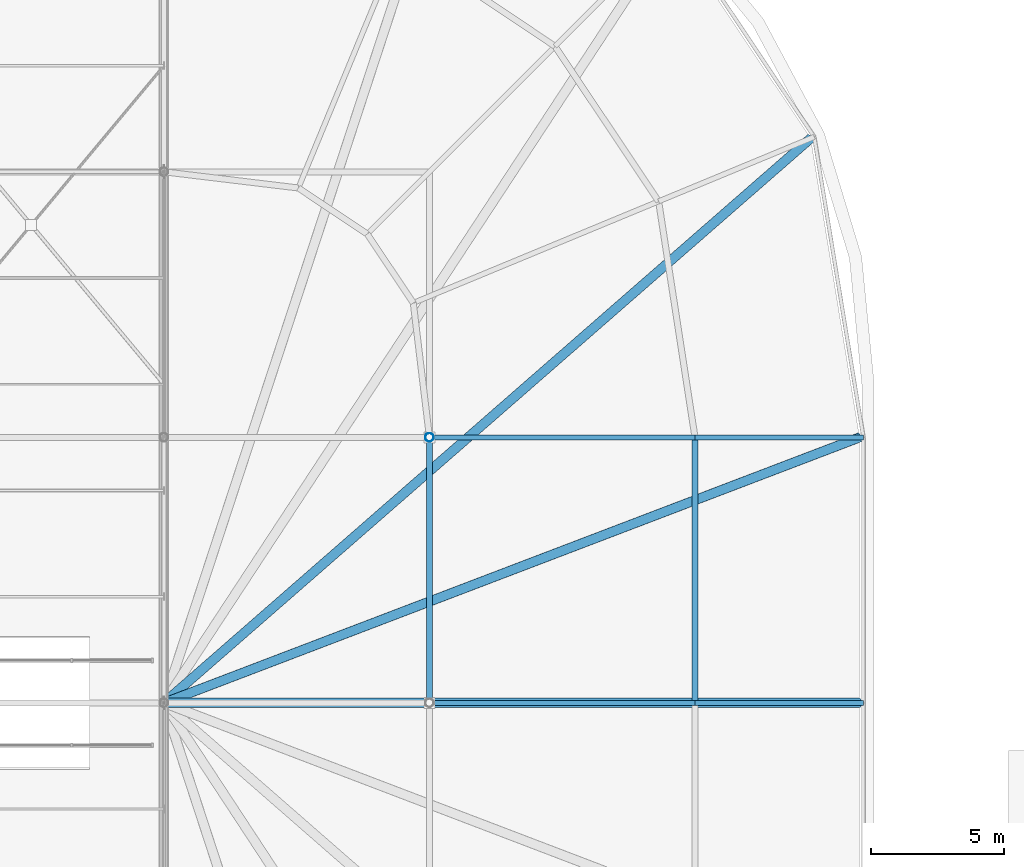
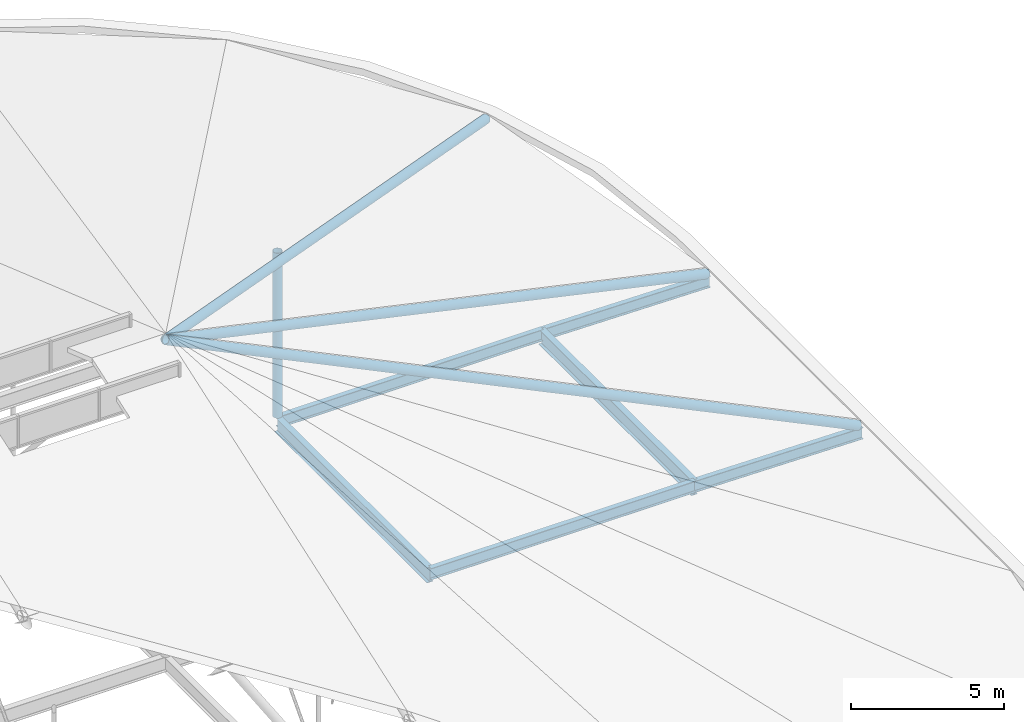
# One storey, part 70 of 93: 6 beams, 4 members.
"""IFC4 building model written with IfcOpenShell, lengths in metres."""

from ifc_helpers import new_model, si_unit, derived_unit, direction, frame, origin, origin_2d_with_axis, place, context, subcontext, project, spatial, hollow_circle, i_section, extrude, material, material_profile, profile_set, type_object, element, save


model = new_model("IFC4")

# Units and contexts
model_context = context("Model", 3, precision=1e-05, world=origin(), true_north=direction((0.0, 1.0)))
body_context = subcontext(model_context, "Body", "Model", "MODEL_VIEW")
ifc_project = project(units=[si_unit("LENGTHUNIT", "METRE"), si_unit("AREAUNIT", "SQUARE_METRE"), si_unit("VOLUMEUNIT", "CUBIC_METRE"), si_unit("PLANEANGLEUNIT", "RADIAN"), si_unit("MASSUNIT", "GRAM", prefix="KILO"), derived_unit("THERMALTRANSMITTANCEUNIT", [(si_unit("POWERUNIT", "WATT"), 1), (si_unit("LENGTHUNIT", "METRE"), -2), (si_unit("THERMODYNAMICTEMPERATUREUNIT", "KELVIN"), -1)])], contexts=[model_context])

# Site, building, storey
site_placement = place(None, origin())
site = spatial("IfcSite", under=ifc_project, at=site_placement, CompositionType="ELEMENT")
building_placement = place(site_placement, origin())
building = spatial("IfcBuilding", under=site, at=building_placement, Name="Cinnabar Yard Market Hall", CompositionType="ELEMENT")
storey_placement = place(building_placement, frame((0.0, 0.0, 23.800048828125)))
storey = spatial("IfcBuildingStorey", under=building, at=storey_placement, Name="ROOF", CompositionType="ELEMENT", Elevation=23.800048828125)

# Beams
ifc_material_1 = material(Name="Steel Grade 350 (350 MPa)", Category="steel")
ifc_material_profile_1 = material_profile(ifc_material_1, i_section(OverallWidth=0.22900390625, OverallDepth=0.611572265625, WebThickness=0.011962890625, FlangeThickness=0.01953125, FilletRadius=0.013916015625, at=origin_2d_with_axis()), Name="610UB125")
ifc_profile_set_1 = profile_set([ifc_material_profile_1], Name="Steel Grade 350 (350 MPa)")
beam_type_1 = type_object("IfcBeamType", Name="BM-B01E", PredefinedType="BEAM", material=ifc_profile_set_1)
beam_1_placement = place(storey_placement, frame((166.0, 44.0, -9.705810546875), z_axis=(0.0, 1.0, 0.0), x_axis=(-1.0, 0.0, 0.0)))
element("IfcBeam", 1, at=beam_1_placement, inside=storey, type_object=beam_type_1, Name="East Springer Girder 00371", PredefinedType="BEAM", context=body_context, shape_type="SweptSolid", body=[
    extrude(i_section(OverallWidth=0.22900390625, OverallDepth=0.611572265625, WebThickness=0.011962890625, FlangeThickness=0.01953125, FilletRadius=0.013916015625, at=origin_2d_with_axis()), origin(), (0.0, 0.0, 1.0), 10.0),
])
ifc_material_2 = material(Name="Steel Grade 300 (300 MPa)", Category="steel")
ifc_material_profile_2 = material_profile(ifc_material_2, i_section(OverallWidth=0.22802734375, OverallDepth=0.60205078125, WebThickness=0.010498046875, FlangeThickness=0.014892578125, FilletRadius=0.013916015625, at=origin_2d_with_axis()), Name="610UB101")
ifc_profile_set_2 = profile_set([ifc_material_profile_2], Name="Steel Grade 300 (300 MPa)")
beam_type_2 = type_object("IfcBeamType", Name="BM-B02", PredefinedType="BEAM", material=ifc_profile_set_2)
beam_2_placement = place(storey_placement, frame((156.0, 44.0, -9.700927734375), z_axis=(0.0, 1.0, 0.0), x_axis=(-1.0, 0.0, 0.0)))
element("IfcBeam", 2, at=beam_2_placement, inside=storey, type_object=beam_type_2, Name="Hall Transverse Tie Girder 00446", PredefinedType="BEAM", context=body_context, shape_type="SweptSolid", body=[
    extrude(i_section(OverallWidth=0.22802734375, OverallDepth=0.60205078125, WebThickness=0.010498046875, FlangeThickness=0.014892578125, FilletRadius=0.013916015625, at=origin_2d_with_axis()), origin(), (0.0, 0.0, 1.0), 10.0),
])
ifc_material_profile_3 = material_profile(ifc_material_2, i_section(OverallWidth=0.19091796875, OverallDepth=0.46044921875, WebThickness=0.010009765625, FlangeThickness=0.01611328125, FilletRadius=0.011474609375, at=origin_2d_with_axis()), Name="460UB82.1")
ifc_profile_set_3 = profile_set([ifc_material_profile_3], Name="Steel Grade 300 (300 MPa)")
beam_type_3 = type_object("IfcBeamType", Name="BM-B04", PredefinedType="BEAM", material=ifc_profile_set_3)
for number, where, z_axis, x_axis, name in (
    (3, (156.0, 44.0, -9.630126953125), (1.0, 0.0, 0.0), (0.0, 1.0, 0.0), "East Chhajja Backspan Girder 00566"),
    (4, (156.0, 54.0, -9.630126953125), (1.0, 0.0, 0.0), (0.0, 1.0, 0.0), "East Chhajja Backspan Girder 00570"),
):
    element("IfcBeam", number, at=place(storey_placement, frame(where, z_axis=z_axis, x_axis=x_axis)), inside=storey, type_object=beam_type_3, Name=name, PredefinedType="BEAM", context=body_context, shape_type="SweptSolid", body=[
        extrude(i_section(OverallWidth=0.19091796875, OverallDepth=0.46044921875, WebThickness=0.010009765625, FlangeThickness=0.01611328125, FilletRadius=0.011474609375, at=origin_2d_with_axis()), origin(), (0.0, 0.0, 1.0), 10.0),
    ])
ifc_material_profile_4 = material_profile(ifc_material_2, i_section(OverallWidth=0.19091796875, OverallDepth=0.46044921875, WebThickness=0.010009765625, FlangeThickness=0.01611328125, FilletRadius=0.011474609375, at=origin_2d_with_axis()), Name="460UB82.1")
ifc_profile_set_4 = profile_set([ifc_material_profile_4], Name="Steel Grade 300 (300 MPa)")
beam_type_4 = type_object("IfcBeamType", Name="BM-RF02E", PredefinedType="BEAM", material=ifc_profile_set_4)
for number, where, z_axis, x_axis, name in (
    (5, (166.0, 44.0, -9.630126953125), (0.999920245484, 0.0, -0.012629436656), (0.0, 1.0, 0.0), "East Chhajja Cantilever Rafter 00567"),
    (6, (166.0, 54.0, -9.630126953125), (0.999920245484, 0.0, -0.012629436656), (0.0, 1.0, 0.0), "East Chhajja Cantilever Rafter 00571"),
):
    element("IfcBeam", number, at=place(storey_placement, frame(where, z_axis=z_axis, x_axis=x_axis)), inside=storey, type_object=beam_type_4, Name=name, PredefinedType="BEAM", context=body_context, shape_type="SweptSolid", body=[
        extrude(i_section(OverallWidth=0.19091796875, OverallDepth=0.46044921875, WebThickness=0.010009765625, FlangeThickness=0.01611328125, FilletRadius=0.011474609375, at=origin_2d_with_axis()), origin(), (0.0, 0.0, 1.0), 6.340576171875),
    ])

# Members
ifc_material_3 = material(Name="Spotted-gum glulam-clad steel Grade 350 (350 MPa)", Category="steel")
ifc_material_profile_5 = material_profile(ifc_material_3, hollow_circle(Radius=0.161865234375, WallThickness=0.009521484375, at=origin_2d_with_axis()), Name="323.9x9.5CHS")
ifc_profile_set_5 = profile_set([ifc_material_profile_5], Name="Spotted-gum glulam-clad steel Grade 350 (350 MPa)")
member_type_1 = type_object("IfcMemberType", Name="MB-ST01", PredefinedType="STRUT", material=ifc_profile_set_5)
member_1_placement = place(storey_placement, frame((156.0, 54.0, -9.400146484375), z_axis=(0.0, 0.0, 1.0), x_axis=(1.0, 0.0, 0.0)))
element("IfcMember", 7, at=member_1_placement, inside=storey, type_object=member_type_1, Name="Apsidal Roof Post 156-54", PredefinedType="STRUT", context=body_context, shape_type="SweptSolid", body=[
    extrude(hollow_circle(Radius=0.161865234375, WallThickness=0.009521484375, at=origin_2d_with_axis()), origin(), (0.0, 0.0, 1.0), 6.60009765625),
])
ifc_material_4 = material(Name="Cold-formed steel C350L0", Category="steel")
ifc_material_profile_6 = material_profile(ifc_material_4, hollow_circle(Radius=0.177734375, WallThickness=0.0126953125, at=origin_2d_with_axis()), Name="355.6x12.7CHS")
ifc_profile_set_6 = profile_set([ifc_material_profile_6], Name="Cold-formed steel C350L0")
member_type_2 = type_object("IfcMemberType", Name="MB-TC01", PredefinedType="CHORD", material=ifc_profile_set_6)
member_2_placement = place(storey_placement, frame((146.0, 44.0, 3.199951171875), z_axis=(0.901199128012, 0.0, -0.433405274162), x_axis=(0.0, 1.0, 0.0)))
element("IfcMember", 8, at=member_2_placement, inside=storey, type_object=member_type_2, Name="East Apsidal Hip Rafter 05", PredefinedType="CHORD", context=body_context, shape_type="SweptSolid", body=[
    extrude(hollow_circle(Radius=0.177734375, WallThickness=0.0126953125, at=origin_2d_with_axis()), origin(), (0.0, 0.0, 1.0), 29.072265625),
])
member_3_placement = place(storey_placement, frame((146.0, 44.0, 3.199951171875), z_axis=(0.852194344827, 0.325265623297, -0.409837861776), x_axis=(-0.356588973072, 0.934261368292, 0.0)))
element("IfcMember", 9, at=member_3_placement, inside=storey, type_object=member_type_2, Name="East Apsidal Hip Rafter 06", PredefinedType="CHORD", context=body_context, shape_type="SweptSolid", body=[
    extrude(hollow_circle(Radius=0.177734375, WallThickness=0.0126953125, at=origin_2d_with_axis()), origin(), (0.0, 0.0, 1.0), 30.744140625),
])
member_4_placement = place(storey_placement, frame((146.0, 44.0, 3.199951171875), z_axis=(0.701954212015, 0.612706049447, -0.363113730401), x_axis=(-0.657589967821, 0.753376024453, 0.0)))
element("IfcMember", 10, at=member_4_placement, inside=storey, type_object=member_type_2, Name="East Apsidal Hip Rafter 07", PredefinedType="CHORD", context=body_context, shape_type="SweptSolid", body=[
    extrude(hollow_circle(Radius=0.177734375, WallThickness=0.0126953125, at=origin_2d_with_axis()), origin(), (0.0, 0.0, 1.0), 34.7001953125),
])

save(model, "model.ifc")
